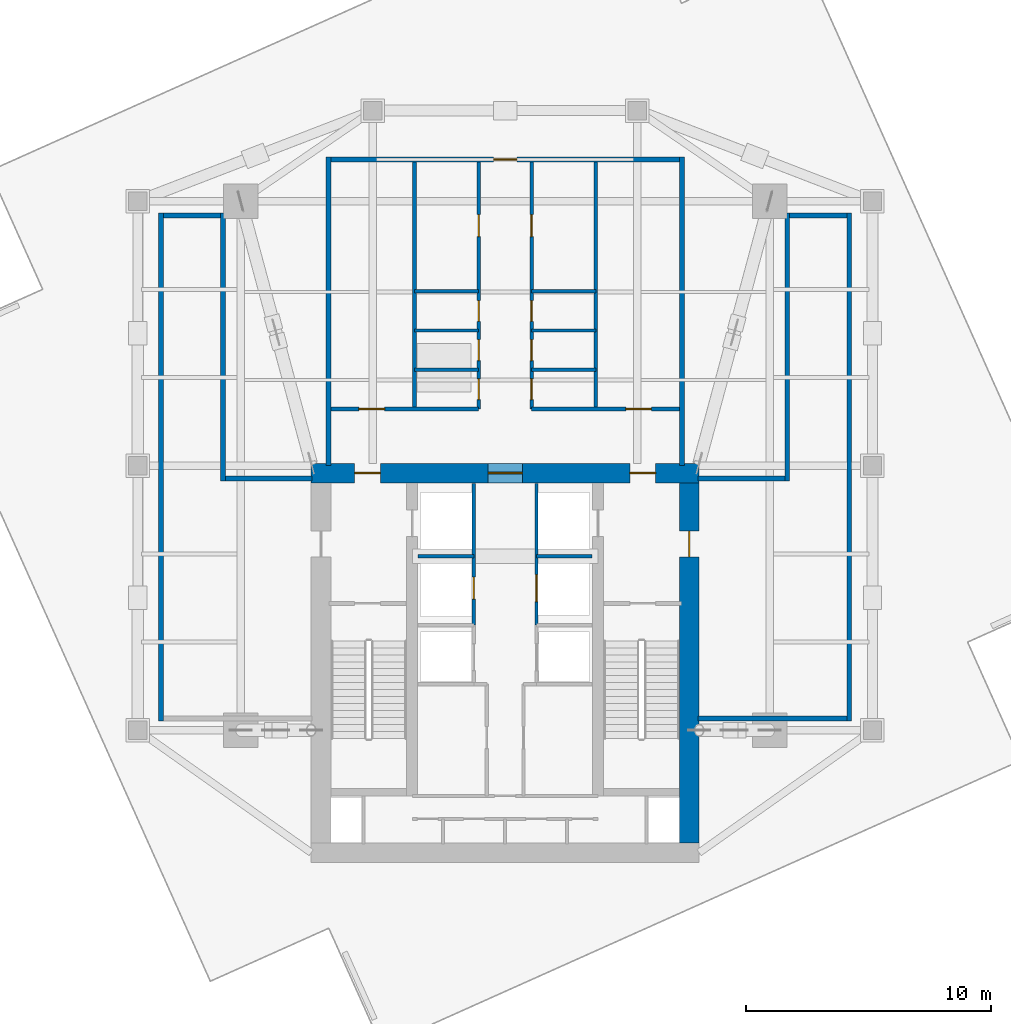
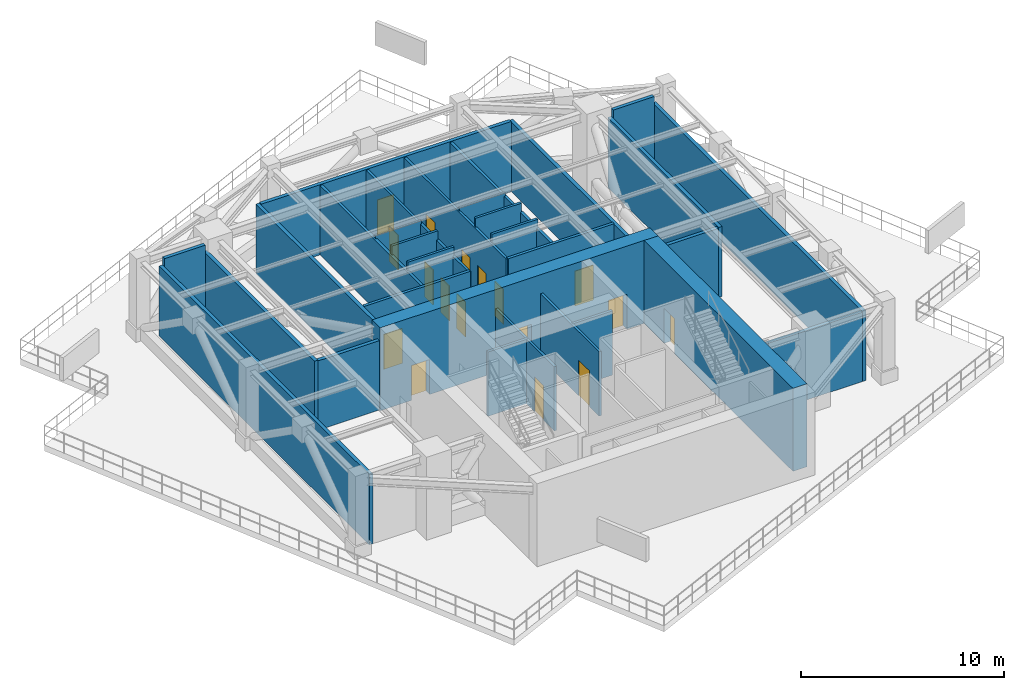
# One storey, part 4 of 8: 30 walls, 17 doors, 17 openings.
"""IFC4 building model written with IfcOpenShell, lengths in metres."""

from ifc_helpers import new_model, si_unit, direction, frame, frame_2d, origin, place, context, subcontext, project, spatial, rectangle, extrude, material, layer, layer_set, type_object, element, fill, save


model = new_model("IFC4")

# Units and contexts
model_context = context("Model", 3, precision=1e-05, world=origin(), true_north=direction((0.0, 1.0)))
body_context = subcontext(model_context, "Body", "Model", "MODEL_VIEW")
ifc_project = project(units=[si_unit("LENGTHUNIT", "METRE"), si_unit("AREAUNIT", "SQUARE_METRE"), si_unit("VOLUMEUNIT", "CUBIC_METRE"), si_unit("PLANEANGLEUNIT", "RADIAN"), si_unit("MASSUNIT", "GRAM", prefix="KILO")], contexts=[model_context])

# Site, building, storey
site_placement = place(None, origin())
site = spatial("IfcSite", under=ifc_project, at=site_placement, CompositionType="ELEMENT")
building_placement = place(site_placement, origin())
building = spatial("IfcBuilding", under=site, at=building_placement, Name="Krantzveldt Concourse Tower", CompositionType="ELEMENT")
storey_placement = place(building_placement, frame((0.0, 0.0, 318.75)))
storey = spatial("IfcBuildingStorey", under=building, at=storey_placement, Name="L78", CompositionType="ELEMENT", Elevation=318.75)

# Wall, opening, door
ifc_material_1 = material(Name="Concrete C40/50", Category="concrete")
ifc_layer_1 = layer(ifc_material_1, 0.199951171875, Name="Concrete C40/50", Category="concrete")
ifc_layer_set_1 = layer_set([ifc_layer_1], Name="Concrete C40/50 (WL-EXT-POD200)")
wall_type_1 = type_object("IfcWallType", Name="WL-EXT-POD200", PredefinedType="SOLIDWALL", material=ifc_layer_set_1)
wall_1_placement = place(storey_placement, frame((28.8798828125, 39.199951171875, 0.0), z_axis=(0.0, 0.0, 1.0), x_axis=(1.0, 0.0, 0.0)))
wall_1 = element("IfcWall", 1, at=wall_1_placement, inside=storey, type_object=wall_type_1, Name="WP-L78-PODN", PredefinedType="SOLIDWALL", context=body_context, shape_type="SweptSolid", body=[
    extrude(rectangle(XDim=14.240234375, YDim=0.199951171875, at=frame_2d((7.1201171875, 0.0))), origin(), (0.0, 0.0, 1.0), 4.22998046875),
])
opening_1_placement = place(wall_1_placement, frame((6.64501953125, 0.0, 0.0)))
opening_1 = element("IfcOpeningElement", 2, at=opening_1_placement, cuts=wall_1, Name="Opening D-EX95", PredefinedType="OPENING", context=body_context, shape_type="SweptSolid", body=[
    extrude(rectangle(XDim=0.949951171875, YDim=2.10009765625, at=frame_2d((0.47509765625, 1.050048828125))), frame((0.0, 0.10986328125, 0.0), z_axis=(0.0, -1.0, 0.0), x_axis=(1.0, 0.0, 0.0)), (0.0, 0.0, 1.0), 0.219970703125),
])
ifc_material_2 = material(Name="Anodised aluminium 6063-T6", Category="aluminium")
door_type_1 = type_object("IfcDoorType", Name="DR-EXT-950", OperationType="SINGLE_SWING_LEFT", PredefinedType="DOOR", material=ifc_material_2)
door_1_placement = place(opening_1_placement, origin())
door_1 = element("IfcDoor", 3, at=door_1_placement, inside=storey, type_object=door_type_1, Name="DR-L78-WDECK", OperationType="SINGLE_SWING_LEFT", OverallHeight=2.10009765625, OverallWidth=0.949951171875, PredefinedType="DOOR", context=body_context, shape_type="SweptSolid", body=[
    extrude(rectangle(XDim=0.949951171875, YDim=2.10009765625, at=frame_2d((0.47509765625, 1.050048828125))), frame((0.0, 0.02490234375, 0.0), z_axis=(0.0, -1.0, 0.0), x_axis=(1.0, 0.0, 0.0)), (0.0, 0.0, 1.0), 0.050048828125),
])
fill(opening_1, door_1)

# Walls
for number, where, z_axis, x_axis, name in (
    (4, (28.780029296875, 26.699951171875, 0.0), (0.0, 0.0, 1.0), (0.0, 1.0, 0.0), "WP-L78-PODW"),
    (5, (43.219970703125, 26.699951171875, 0.0), (0.0, 0.0, 1.0), (0.0, 1.0, 0.0), "WP-L78-PODE"),
):
    element("IfcWall", number, at=place(storey_placement, frame(where, z_axis=z_axis, x_axis=x_axis)), inside=storey, type_object=wall_type_1, Name=name, PredefinedType="SOLIDWALL", context=body_context, shape_type="SweptSolid", body=[
        extrude(rectangle(XDim=12.60009765625, YDim=0.199951171875, at=frame_2d((6.300048828125, 0.0))), origin(), (0.0, 0.0, 1.0), 4.179931640625),
    ])
wall_2_placement = place(storey_placement, frame((21.949951171875, 16.280029296875, 0.0), z_axis=(0.0, 0.0, 1.0), x_axis=(0.0, 1.0, 0.0)))
element("IfcWall", 6, at=wall_2_placement, inside=storey, type_object=wall_type_1, Name="WP-L78-RWW", PredefinedType="SOLIDWALL", context=body_context, shape_type="SweptSolid", body=[
    extrude(rectangle(XDim=20.739990234375, YDim=0.199951171875, at=frame_2d((10.3701171875, 0.0))), origin(), (0.0, 0.0, 1.0), 4.22998046875),
])
wall_3_placement = place(storey_placement, frame((22.050048828125, 36.919921875, 0.0), z_axis=(0.0, 0.0, 1.0), x_axis=(1.0, 0.0, 0.0)))
element("IfcWall", 7, at=wall_3_placement, inside=storey, type_object=wall_type_1, Name="WP-L78-RWN1", PredefinedType="SOLIDWALL", context=body_context, shape_type="SweptSolid", body=[
    extrude(rectangle(XDim=2.329833984375, YDim=0.199951171875, at=frame_2d((1.1650390625, 0.0))), origin(), (0.0, 0.0, 1.0), 4.719970703125),
])
wall_4_placement = place(storey_placement, frame((24.47998046875, 26.080078125, 0.0), z_axis=(0.0, 0.0, 1.0), x_axis=(0.0, 1.0, 0.0)))
element("IfcWall", 8, at=wall_4_placement, inside=storey, type_object=wall_type_1, Name="WP-L78-RWNE", PredefinedType="SOLIDWALL", context=body_context, shape_type="SweptSolid", body=[
    extrude(rectangle(XDim=10.93994140625, YDim=0.199951171875, at=frame_2d((5.469970703125, 0.0))), origin(), (0.0, 0.0, 1.0), 4.22998046875),
])
wall_5_placement = place(storey_placement, frame((24.580078125, 26.179931640625, 0.0), z_axis=(0.0, 0.0, 1.0), x_axis=(1.0, 0.0, 0.0)))
element("IfcWall", 9, at=wall_5_placement, inside=storey, type_object=wall_type_1, Name="WP-L78-RWN2", PredefinedType="SOLIDWALL", context=body_context, shape_type="SweptSolid", body=[
    extrude(rectangle(XDim=3.5400390625, YDim=0.199951171875, at=frame_2d((1.77001953125, 0.0))), origin(), (0.0, 0.0, 1.0), 4.179931640625),
])
wall_6_placement = place(storey_placement, frame((43.8798828125, 16.3798828125, 0.0), z_axis=(0.0, 0.0, 1.0), x_axis=(1.0, 0.0, 0.0)))
element("IfcWall", 10, at=wall_6_placement, inside=storey, type_object=wall_type_1, Name="WP-L78-RES", PredefinedType="SOLIDWALL", context=body_context, shape_type="SweptSolid", body=[
    extrude(rectangle(XDim=6.070068359375, YDim=0.199951171875, at=frame_2d((3.03515625, 0.0))), origin(), (0.0, 0.0, 1.0), 4.179931640625),
])
wall_7_placement = place(storey_placement, frame((50.050048828125, 16.280029296875, 0.0), z_axis=(0.0, 0.0, 1.0), x_axis=(0.0, 1.0, 0.0)))
element("IfcWall", 11, at=wall_7_placement, inside=storey, type_object=wall_type_1, Name="WP-L78-REE", PredefinedType="SOLIDWALL", context=body_context, shape_type="SweptSolid", body=[
    extrude(rectangle(XDim=20.739990234375, YDim=0.199951171875, at=frame_2d((10.3701171875, 0.0))), origin(), (0.0, 0.0, 1.0), 4.22998046875),
])
wall_8_placement = place(storey_placement, frame((47.6201171875, 36.919921875, 0.0), z_axis=(0.0, 0.0, 1.0), x_axis=(1.0, 0.0, 0.0)))
element("IfcWall", 12, at=wall_8_placement, inside=storey, type_object=wall_type_1, Name="WP-L78-REN1", PredefinedType="SOLIDWALL", context=body_context, shape_type="SweptSolid", body=[
    extrude(rectangle(XDim=2.329833984375, YDim=0.199951171875, at=frame_2d((1.1650390625, 0.0))), origin(), (0.0, 0.0, 1.0), 4.719970703125),
])
wall_9_placement = place(storey_placement, frame((47.52001953125, 26.080078125, 0.0), z_axis=(0.0, 0.0, 1.0), x_axis=(0.0, 1.0, 0.0)))
element("IfcWall", 13, at=wall_9_placement, inside=storey, type_object=wall_type_1, Name="WP-L78-RENW", PredefinedType="SOLIDWALL", context=body_context, shape_type="SweptSolid", body=[
    extrude(rectangle(XDim=10.93994140625, YDim=0.199951171875, at=frame_2d((5.469970703125, 0.0))), origin(), (0.0, 0.0, 1.0), 4.22998046875),
])
wall_10_placement = place(storey_placement, frame((43.8798828125, 26.179931640625, 0.0), z_axis=(0.0, 0.0, 1.0), x_axis=(1.0, 0.0, 0.0)))
element("IfcWall", 14, at=wall_10_placement, inside=storey, type_object=wall_type_1, Name="WP-L78-REN2", PredefinedType="SOLIDWALL", context=body_context, shape_type="SweptSolid", body=[
    extrude(rectangle(XDim=3.5400390625, YDim=0.199951171875, at=frame_2d((1.77001953125, 0.0))), origin(), (0.0, 0.0, 1.0), 4.179931640625),
])

# Wall, opening, door
ifc_material_3 = material(Name="Fire-rated gypsum plasterboard on steel stud", Category="steel")
ifc_layer_2 = layer(ifc_material_3, 0.139892578125, Name="Fire-rated gypsum plasterboard on steel stud", Category="steel")
ifc_layer_set_2 = layer_set([ifc_layer_2], Name="Fire-rated gypsum plasterboard on steel stud (WL-PART-FR140)")
wall_type_2 = type_object("IfcWallType", Name="WL-PART-FR140", PredefinedType="PARTITIONING", material=ifc_layer_set_2)
wall_11_placement = place(storey_placement, frame((34.719970703125, 20.199951171875, 0.0), z_axis=(0.0, 0.0, 1.0), x_axis=(0.0, 1.0, 0.0)))
wall_11 = element("IfcWall", 15, at=wall_11_placement, inside=storey, type_object=wall_type_2, Name="WP-L78-SHNW", PredefinedType="PARTITIONING", context=body_context, shape_type="SweptSolid", body=[
    extrude(rectangle(XDim=5.780029296875, YDim=0.139892578125, at=frame_2d((2.89013671875, 0.0))), origin(), (0.0, 0.0, 1.0), 3.8701171875),
])
opening_2_placement = place(wall_11_placement, frame((1.050048828125, 0.0, 0.0)))
opening_2 = element("IfcOpeningElement", 16, at=opening_2_placement, cuts=wall_11, Name="Opening D-FD090", PredefinedType="OPENING", context=body_context, shape_type="SweptSolid", body=[
    extrude(rectangle(XDim=0.89990234375, YDim=2.10009765625, at=frame_2d((0.449951171875, 1.050048828125))), frame((0.0, 0.080078125, 0.0), z_axis=(0.0, -1.0, 0.0), x_axis=(1.0, 0.0, 0.0)), (0.0, 0.0, 1.0), 0.159912109375),
])
ifc_material_4 = material(Name="Hardwood timber", Category="wood")
door_type_2 = type_object("IfcDoorType", Name="DR-FD60-900", OperationType="SINGLE_SWING_LEFT", PredefinedType="DOOR", material=ifc_material_4)
door_2_placement = place(opening_2_placement, origin())
door_2 = element("IfcDoor", 17, at=door_2_placement, inside=storey, type_object=door_type_2, Name="Electrical Riser Access Door L78", OperationType="SINGLE_SWING_LEFT", OverallHeight=2.10009765625, OverallWidth=0.89990234375, PredefinedType="DOOR", context=body_context, shape_type="SweptSolid", body=[
    extrude(rectangle(XDim=0.89990234375, YDim=2.10009765625, at=frame_2d((0.449951171875, 1.050048828125))), frame((0.0, 0.02490234375, 0.0), z_axis=(0.0, -1.0, 0.0), x_axis=(1.0, 0.0, 0.0)), (0.0, 0.0, 1.0), 0.050048828125),
])
fill(opening_2, door_2)

wall_12_placement = place(storey_placement, frame((37.280029296875, 20.199951171875, 0.0), z_axis=(0.0, 0.0, 1.0), x_axis=(0.0, 1.0, 0.0)))
wall_12 = element("IfcWall", 18, at=wall_12_placement, inside=storey, type_object=wall_type_2, Name="WP-L78-SHNE", PredefinedType="PARTITIONING", context=body_context, shape_type="SweptSolid", body=[
    extrude(rectangle(XDim=5.780029296875, YDim=0.139892578125, at=frame_2d((2.89013671875, 0.0))), origin(), (0.0, 0.0, 1.0), 3.8701171875),
])
opening_3_placement = place(wall_12_placement, frame((0.949951171875, 0.0, 0.0)))
opening_3 = element("IfcOpeningElement", 19, at=opening_3_placement, cuts=wall_12, Name="Opening LD", PredefinedType="OPENING", context=body_context, shape_type="SweptSolid", body=[
    extrude(rectangle(XDim=1.10009765625, YDim=2.14990234375, at=frame_2d((0.550048828125, 1.074951171875))), frame((0.0, 0.080078125, 0.0), z_axis=(0.0, -1.0, 0.0), x_axis=(1.0, 0.0, 0.0)), (0.0, 0.0, 1.0), 0.159912109375),
])
ifc_material_5 = material(Name="Stainless steel 316L", Category="steel")
door_type_3 = type_object("IfcDoorType", Name="DR-SLIDE-LD1100", OperationType="DOUBLE_DOOR_SLIDING", PredefinedType="DOOR", material=ifc_material_5)
door_3_placement = place(opening_3_placement, origin())
door_3 = element("IfcDoor", 20, at=door_3_placement, inside=storey, type_object=door_type_3, Name="LD-L78-GL1", OperationType="DOUBLE_DOOR_SLIDING", OverallHeight=2.14990234375, OverallWidth=1.10009765625, PredefinedType="DOOR", context=body_context, shape_type="SweptSolid", body=[
    extrude(rectangle(XDim=1.10009765625, YDim=2.14990234375, at=frame_2d((0.550048828125, 1.074951171875))), frame((0.0, 0.02490234375, 0.0), z_axis=(0.0, -1.0, 0.0), x_axis=(1.0, 0.0, 0.0)), (0.0, 0.0, 1.0), 0.050048828125),
])
fill(opening_3, door_3)

# Walls
for number, where, z_axis, x_axis, name in (
    (21, (32.449951171875, 23.0, 0.0), (0.0, 0.0, 1.0), (1.0, 0.0, 0.0), "WP-L78-RISH"),
    (22, (37.280029296875, 23.0, 0.0), (0.0, 0.0, 1.0), (1.0, 0.0, 0.0), "WP-L78-GLH"),
):
    element("IfcWall", number, at=place(storey_placement, frame(where, z_axis=z_axis, x_axis=x_axis)), inside=storey, type_object=wall_type_2, Name=name, PredefinedType="PARTITIONING", context=body_context, shape_type="SweptSolid", body=[
        extrude(rectangle(XDim=2.27001953125, YDim=0.139892578125, at=frame_2d((1.135009765625, 0.0))), origin(), (0.0, 0.0, 1.0), 3.8701171875),
    ])

# Wall, openings, doors
wall_13_placement = place(storey_placement, frame((34.919921875, 29.02001953125, 0.0), z_axis=(0.0, 0.0, 1.0), x_axis=(0.0, 1.0, 0.0)))
wall_13 = element("IfcWall", 23, at=wall_13_placement, inside=storey, type_object=wall_type_2, Name="WP-L78-SPL", PredefinedType="PARTITIONING", context=body_context, shape_type="SweptSolid", body=[
    extrude(rectangle(XDim=10.080078125, YDim=0.139892578125, at=frame_2d((5.0400390625, 0.0))), origin(), (0.0, 0.0, 1.0), 4.179931640625),
])
opening_4_placement = place(wall_13_placement, frame((7.030029296875, 0.0, 0.0)))
opening_4 = element("IfcOpeningElement", 24, at=opening_4_placement, cuts=wall_13, Name="Opening D-FD090", PredefinedType="OPENING", context=body_context, shape_type="SweptSolid", body=[
    extrude(rectangle(XDim=0.89990234375, YDim=2.10009765625, at=frame_2d((0.449951171875, 1.050048828125))), frame((0.0, 0.080078125, 0.0), z_axis=(0.0, -1.0, 0.0), x_axis=(1.0, 0.0, 0.0)), (0.0, 0.0, 1.0), 0.159912109375),
])
opening_5_placement = place(wall_13_placement, frame((0.375, 0.0, 0.0)))
opening_5 = element("IfcOpeningElement", 25, at=opening_5_placement, cuts=wall_13, Name="Opening D-IN085", PredefinedType="OPENING", context=body_context, shape_type="SweptSolid", body=[
    extrude(rectangle(XDim=0.85009765625, YDim=2.10009765625, at=frame_2d((0.425048828125, 1.050048828125))), frame((0.0, 0.080078125, 0.0), z_axis=(0.0, -1.0, 0.0), x_axis=(1.0, 0.0, 0.0)), (0.0, 0.0, 1.0), 0.159912109375),
])
opening_6_placement = place(wall_13_placement, frame((1.97509765625, 0.0, 0.0)))
opening_6 = element("IfcOpeningElement", 26, at=opening_6_placement, cuts=wall_13, Name="Opening D-IN085", PredefinedType="OPENING", context=body_context, shape_type="SweptSolid", body=[
    extrude(rectangle(XDim=0.85009765625, YDim=2.10009765625, at=frame_2d((0.425048828125, 1.050048828125))), frame((0.0, 0.080078125, 0.0), z_axis=(0.0, -1.0, 0.0), x_axis=(1.0, 0.0, 0.0)), (0.0, 0.0, 1.0), 0.159912109375),
])
opening_7_placement = place(wall_13_placement, frame((3.574951171875, 0.0, 0.0)))
opening_7 = element("IfcOpeningElement", 27, at=opening_7_placement, cuts=wall_13, Name="Opening D-IN085", PredefinedType="OPENING", context=body_context, shape_type="SweptSolid", body=[
    extrude(rectangle(XDim=0.85009765625, YDim=2.10009765625, at=frame_2d((0.425048828125, 1.050048828125))), frame((0.0, 0.080078125, 0.0), z_axis=(0.0, -1.0, 0.0), x_axis=(1.0, 0.0, 0.0)), (0.0, 0.0, 1.0), 0.159912109375),
])
door_4_placement = place(opening_4_placement, origin())
door_4 = element("IfcDoor", 28, at=door_4_placement, inside=storey, type_object=door_type_2, Name="DR-L78-REFCNL", OperationType="SINGLE_SWING_LEFT", OverallHeight=2.10009765625, OverallWidth=0.89990234375, PredefinedType="DOOR", context=body_context, shape_type="SweptSolid", body=[
    extrude(rectangle(XDim=0.89990234375, YDim=2.10009765625, at=frame_2d((0.449951171875, 1.050048828125))), frame((0.0, 0.02490234375, 0.0), z_axis=(0.0, -1.0, 0.0), x_axis=(1.0, 0.0, 0.0)), (0.0, 0.0, 1.0), 0.050048828125),
])
fill(opening_4, door_4)
door_type_4 = type_object("IfcDoorType", Name="DR-INT-850", OperationType="SINGLE_SWING_LEFT", PredefinedType="DOOR", material=ifc_material_4)
door_5_placement = place(opening_5_placement, origin())
door_5 = element("IfcDoor", 29, at=door_5_placement, inside=storey, type_object=door_type_4, Name="DR-L78-PAHU1", OperationType="SINGLE_SWING_LEFT", OverallHeight=2.10009765625, OverallWidth=0.85009765625, PredefinedType="DOOR", context=body_context, shape_type="SweptSolid", body=[
    extrude(rectangle(XDim=0.85009765625, YDim=2.10009765625, at=frame_2d((0.425048828125, 1.050048828125))), frame((0.0, 0.02490234375, 0.0), z_axis=(0.0, -1.0, 0.0), x_axis=(1.0, 0.0, 0.0)), (0.0, 0.0, 1.0), 0.050048828125),
])
fill(opening_5, door_5)
door_6_placement = place(opening_6_placement, origin())
door_6 = element("IfcDoor", 30, at=door_6_placement, inside=storey, type_object=door_type_4, Name="DR-L78-PAHU2", OperationType="SINGLE_SWING_RIGHT", OverallHeight=2.10009765625, OverallWidth=0.85009765625, PredefinedType="DOOR", context=body_context, shape_type="SweptSolid", body=[
    extrude(rectangle(XDim=0.85009765625, YDim=2.10009765625, at=frame_2d((0.425048828125, 1.050048828125))), frame((0.0, 0.02490234375, 0.0), z_axis=(0.0, -1.0, 0.0), x_axis=(1.0, 0.0, 0.0)), (0.0, 0.0, 1.0), 0.050048828125),
])
fill(opening_6, door_6)
door_7_placement = place(opening_7_placement, origin())
door_7 = element("IfcDoor", 31, at=door_7_placement, inside=storey, type_object=door_type_4, Name="DR-L78-PSWG", OperationType="SINGLE_SWING_LEFT", OverallHeight=2.10009765625, OverallWidth=0.85009765625, PredefinedType="DOOR", context=body_context, shape_type="SweptSolid", body=[
    extrude(rectangle(XDim=0.85009765625, YDim=2.10009765625, at=frame_2d((0.425048828125, 1.050048828125))), frame((0.0, 0.02490234375, 0.0), z_axis=(0.0, -1.0, 0.0), x_axis=(1.0, 0.0, 0.0)), (0.0, 0.0, 1.0), 0.050048828125),
])
fill(opening_7, door_7)

wall_14_placement = place(storey_placement, frame((37.080078125, 29.02001953125, 0.0), z_axis=(0.0, 0.0, 1.0), x_axis=(0.0, 1.0, 0.0)))
wall_14 = element("IfcWall", 32, at=wall_14_placement, inside=storey, type_object=wall_type_2, Name="WP-L78-SPR", PredefinedType="PARTITIONING", context=body_context, shape_type="SweptSolid", body=[
    extrude(rectangle(XDim=10.080078125, YDim=0.139892578125, at=frame_2d((5.0400390625, 0.0))), origin(), (0.0, 0.0, 1.0), 4.179931640625),
])
opening_8_placement = place(wall_14_placement, frame((7.030029296875, 0.0, 0.0)))
opening_8 = element("IfcOpeningElement", 33, at=opening_8_placement, cuts=wall_14, Name="Opening D-FD090", PredefinedType="OPENING", context=body_context, shape_type="SweptSolid", body=[
    extrude(rectangle(XDim=0.89990234375, YDim=2.10009765625, at=frame_2d((0.449951171875, 1.050048828125))), frame((0.0, 0.080078125, 0.0), z_axis=(0.0, -1.0, 0.0), x_axis=(1.0, 0.0, 0.0)), (0.0, 0.0, 1.0), 0.159912109375),
])
opening_9_placement = place(wall_14_placement, frame((0.375, 0.0, 0.0)))
opening_9 = element("IfcOpeningElement", 34, at=opening_9_placement, cuts=wall_14, Name="Opening D-IN085", PredefinedType="OPENING", context=body_context, shape_type="SweptSolid", body=[
    extrude(rectangle(XDim=0.85009765625, YDim=2.10009765625, at=frame_2d((0.425048828125, 1.050048828125))), frame((0.0, 0.080078125, 0.0), z_axis=(0.0, -1.0, 0.0), x_axis=(1.0, 0.0, 0.0)), (0.0, 0.0, 1.0), 0.159912109375),
])
opening_10_placement = place(wall_14_placement, frame((1.97509765625, 0.0, 0.0)))
opening_10 = element("IfcOpeningElement", 35, at=opening_10_placement, cuts=wall_14, Name="Opening D-IN085", PredefinedType="OPENING", context=body_context, shape_type="SweptSolid", body=[
    extrude(rectangle(XDim=0.85009765625, YDim=2.10009765625, at=frame_2d((0.425048828125, 1.050048828125))), frame((0.0, 0.080078125, 0.0), z_axis=(0.0, -1.0, 0.0), x_axis=(1.0, 0.0, 0.0)), (0.0, 0.0, 1.0), 0.159912109375),
])
opening_11_placement = place(wall_14_placement, frame((3.574951171875, 0.0, 0.0)))
opening_11 = element("IfcOpeningElement", 36, at=opening_11_placement, cuts=wall_14, Name="Opening D-IN085", PredefinedType="OPENING", context=body_context, shape_type="SweptSolid", body=[
    extrude(rectangle(XDim=0.85009765625, YDim=2.10009765625, at=frame_2d((0.425048828125, 1.050048828125))), frame((0.0, 0.080078125, 0.0), z_axis=(0.0, -1.0, 0.0), x_axis=(1.0, 0.0, 0.0)), (0.0, 0.0, 1.0), 0.159912109375),
])
door_8_placement = place(opening_8_placement, origin())
door_8 = element("IfcDoor", 37, at=door_8_placement, inside=storey, type_object=door_type_2, Name="DR-L78-REFCNR", OperationType="SINGLE_SWING_RIGHT", OverallHeight=2.10009765625, OverallWidth=0.89990234375, PredefinedType="DOOR", context=body_context, shape_type="SweptSolid", body=[
    extrude(rectangle(XDim=0.89990234375, YDim=2.10009765625, at=frame_2d((0.449951171875, 1.050048828125))), frame((0.0, 0.02490234375, 0.0), z_axis=(0.0, -1.0, 0.0), x_axis=(1.0, 0.0, 0.0)), (0.0, 0.0, 1.0), 0.050048828125),
])
fill(opening_8, door_8)
door_9_placement = place(opening_9_placement, origin())
door_9 = element("IfcDoor", 38, at=door_9_placement, inside=storey, type_object=door_type_4, Name="DR-L78-PHEX", OperationType="SINGLE_SWING_RIGHT", OverallHeight=2.10009765625, OverallWidth=0.85009765625, PredefinedType="DOOR", context=body_context, shape_type="SweptSolid", body=[
    extrude(rectangle(XDim=0.85009765625, YDim=2.10009765625, at=frame_2d((0.425048828125, 1.050048828125))), frame((0.0, 0.02490234375, 0.0), z_axis=(0.0, -1.0, 0.0), x_axis=(1.0, 0.0, 0.0)), (0.0, 0.0, 1.0), 0.050048828125),
])
fill(opening_9, door_9)
door_10_placement = place(opening_10_placement, origin())
door_10 = element("IfcDoor", 39, at=door_10_placement, inside=storey, type_object=door_type_4, Name="DR-L78-PPMP", OperationType="SINGLE_SWING_LEFT", OverallHeight=2.10009765625, OverallWidth=0.85009765625, PredefinedType="DOOR", context=body_context, shape_type="SweptSolid", body=[
    extrude(rectangle(XDim=0.85009765625, YDim=2.10009765625, at=frame_2d((0.425048828125, 1.050048828125))), frame((0.0, 0.02490234375, 0.0), z_axis=(0.0, -1.0, 0.0), x_axis=(1.0, 0.0, 0.0)), (0.0, 0.0, 1.0), 0.050048828125),
])
fill(opening_10, door_10)
door_11_placement = place(opening_11_placement, origin())
door_11 = element("IfcDoor", 40, at=door_11_placement, inside=storey, type_object=door_type_4, Name="DR-L78-PTNK", OperationType="SINGLE_SWING_RIGHT", OverallHeight=2.10009765625, OverallWidth=0.85009765625, PredefinedType="DOOR", context=body_context, shape_type="SweptSolid", body=[
    extrude(rectangle(XDim=0.85009765625, YDim=2.10009765625, at=frame_2d((0.425048828125, 1.050048828125))), frame((0.0, 0.02490234375, 0.0), z_axis=(0.0, -1.0, 0.0), x_axis=(1.0, 0.0, 0.0)), (0.0, 0.0, 1.0), 0.050048828125),
])
fill(opening_11, door_11)

# Walls
for number, where, z_axis, x_axis, name in (
    (41, (32.300048828125, 33.820068359375, 0.0), (0.0, 0.0, 1.0), (1.0, 0.0, 0.0), "WP-L78-SPNL"),
    (42, (37.080078125, 33.820068359375, 0.0), (0.0, 0.0, 1.0), (1.0, 0.0, 0.0), "WP-L78-SPNR"),
):
    element("IfcWall", number, at=place(storey_placement, frame(where, z_axis=z_axis, x_axis=x_axis)), inside=storey, type_object=wall_type_2, Name=name, PredefinedType="PARTITIONING", context=body_context, shape_type="SweptSolid", body=[
        extrude(rectangle(XDim=2.619873046875, YDim=0.139892578125, at=frame_2d((1.31005859375, 0.0))), origin(), (0.0, 0.0, 1.0), 4.360107421875),
    ])
for number, where, z_axis, x_axis, name in (
    (43, (32.300048828125, 30.6201171875, 0.0), (0.0, 0.0, 1.0), (1.0, 0.0, 0.0), "WP-L78-DWL1"),
    (44, (32.300048828125, 32.219970703125, 0.0), (0.0, 0.0, 1.0), (1.0, 0.0, 0.0), "WP-L78-DWL2"),
    (45, (37.080078125, 30.6201171875, 0.0), (0.0, 0.0, 1.0), (1.0, 0.0, 0.0), "WP-L78-DWR1"),
    (46, (37.080078125, 32.219970703125, 0.0), (0.0, 0.0, 1.0), (1.0, 0.0, 0.0), "WP-L78-DWR2"),
):
    element("IfcWall", number, at=place(storey_placement, frame(where, z_axis=z_axis, x_axis=x_axis)), inside=storey, type_object=wall_type_2, Name=name, PredefinedType="PARTITIONING", context=body_context, shape_type="SweptSolid", body=[
        extrude(rectangle(XDim=2.619873046875, YDim=0.139892578125, at=frame_2d((1.31005859375, 0.0))), origin(), (0.0, 0.0, 1.0), 4.719970703125),
    ])

# Wall, opening, door
ifc_layer_3 = layer(ifc_material_3, 0.159912109375, Name="Fire-rated gypsum plasterboard on steel stud", Category="steel")
ifc_layer_set_3 = layer_set([ifc_layer_3], Name="Fire-rated gypsum plasterboard on steel stud (WL-PART-FR160)")
wall_type_3 = type_object("IfcWallType", Name="WL-PART-FR160", PredefinedType="PARTITIONING", material=ifc_layer_set_3)
wall_15_placement = place(storey_placement, frame((28.8798828125, 29.02001953125, 0.0), z_axis=(0.0, 0.0, 1.0), x_axis=(1.0, 0.0, 0.0)))
wall_15 = element("IfcWall", 47, at=wall_15_placement, inside=storey, type_object=wall_type_3, Name="WP-L78-CHDRL", PredefinedType="PARTITIONING", context=body_context, shape_type="SweptSolid", body=[
    extrude(rectangle(XDim=6.0400390625, YDim=0.159912109375, at=frame_2d((3.02001953125, 0.0))), origin(), (0.0, 0.0, 1.0), 4.22998046875),
])
opening_12_placement = place(wall_15_placement, frame((1.14501953125, 0.0, 0.0)))
opening_12 = element("IfcOpeningElement", 48, at=opening_12_placement, cuts=wall_15, Name="Opening D-FD105", PredefinedType="OPENING", context=body_context, shape_type="SweptSolid", body=[
    extrude(rectangle(XDim=1.050048828125, YDim=2.10009765625, at=frame_2d((0.52490234375, 1.050048828125))), frame((0.0, 0.08984375, 0.0), z_axis=(0.0, -1.0, 0.0), x_axis=(1.0, 0.0, 0.0)), (0.0, 0.0, 1.0), 0.179931640625),
])
ifc_material_6 = material(Name="Galvanised steel", Category="steel")
door_type_5 = type_object("IfcDoorType", Name="DR-FD120-1050", OperationType="SINGLE_SWING_LEFT", PredefinedType="DOOR", material=ifc_material_6)
door_12_placement = place(opening_12_placement, origin())
door_12 = element("IfcDoor", 49, at=door_12_placement, inside=storey, type_object=door_type_5, Name="DR-L78-REFW2", OperationType="SINGLE_SWING_LEFT", OverallHeight=2.10009765625, OverallWidth=1.050048828125, PredefinedType="DOOR", context=body_context, shape_type="SweptSolid", body=[
    extrude(rectangle(XDim=1.050048828125, YDim=2.10009765625, at=frame_2d((0.52490234375, 1.050048828125))), frame((0.0, 0.02490234375, 0.0), z_axis=(0.0, -1.0, 0.0), x_axis=(1.0, 0.0, 0.0)), (0.0, 0.0, 1.0), 0.050048828125),
])
fill(opening_12, door_12)

wall_16_placement = place(storey_placement, frame((37.080078125, 29.02001953125, 0.0), z_axis=(0.0, 0.0, 1.0), x_axis=(1.0, 0.0, 0.0)))
wall_16 = element("IfcWall", 50, at=wall_16_placement, inside=storey, type_object=wall_type_3, Name="WP-L78-CHDRR", PredefinedType="PARTITIONING", context=body_context, shape_type="SweptSolid", body=[
    extrude(rectangle(XDim=6.0400390625, YDim=0.159912109375, at=frame_2d((3.02001953125, 0.0))), origin(), (0.0, 0.0, 1.0), 4.22998046875),
])
opening_13_placement = place(wall_16_placement, frame((3.844970703125, 0.0, 0.0)))
opening_13 = element("IfcOpeningElement", 51, at=opening_13_placement, cuts=wall_16, Name="Opening D-FD105", PredefinedType="OPENING", context=body_context, shape_type="SweptSolid", body=[
    extrude(rectangle(XDim=1.050048828125, YDim=2.10009765625, at=frame_2d((0.52490234375, 1.050048828125))), frame((0.0, 0.08984375, 0.0), z_axis=(0.0, -1.0, 0.0), x_axis=(1.0, 0.0, 0.0)), (0.0, 0.0, 1.0), 0.179931640625),
])
door_13_placement = place(opening_13_placement, origin())
door_13 = element("IfcDoor", 52, at=door_13_placement, inside=storey, type_object=door_type_5, Name="DR-L78-REFE2", OperationType="SINGLE_SWING_RIGHT", OverallHeight=2.10009765625, OverallWidth=1.050048828125, PredefinedType="DOOR", context=body_context, shape_type="SweptSolid", body=[
    extrude(rectangle(XDim=1.050048828125, YDim=2.10009765625, at=frame_2d((0.52490234375, 1.050048828125))), frame((0.0, 0.02490234375, 0.0), z_axis=(0.0, -1.0, 0.0), x_axis=(1.0, 0.0, 0.0)), (0.0, 0.0, 1.0), 0.050048828125),
])
fill(opening_13, door_13)

# Walls
for number, where, z_axis, x_axis, name in (
    (53, (32.300048828125, 29.02001953125, 0.0), (0.0, 0.0, 1.0), (0.0, 1.0, 0.0), "WP-L78-RW"),
    (54, (39.699951171875, 29.02001953125, 0.0), (0.0, 0.0, 1.0), (0.0, 1.0, 0.0), "WP-L78-RE"),
):
    element("IfcWall", number, at=place(storey_placement, frame(where, z_axis=z_axis, x_axis=x_axis)), inside=storey, type_object=wall_type_3, Name=name, PredefinedType="PARTITIONING", context=body_context, shape_type="SweptSolid", body=[
        extrude(rectangle(XDim=10.080078125, YDim=0.159912109375, at=frame_2d((5.0400390625, 0.0))), origin(), (0.0, 0.0, 1.0), 4.179931640625),
    ])

# Wall, openings, doors
ifc_material_7 = material(Name="Concrete C60/75", Category="concrete")
ifc_layer_4 = layer(ifc_material_7, 0.800048828125, Name="Concrete C60/75", Category="concrete")
ifc_layer_set_4 = layer_set([ifc_layer_4], Name="Concrete C60/75 (WL-SHEAR-800)")
wall_type_4 = type_object("IfcWallType", Name="WL-SHEAR-800", PredefinedType="SHEAR", material=ifc_layer_set_4)
wall_17_placement = place(storey_placement, frame((28.080078125, 26.39990234375, 0.0), z_axis=(0.0, 0.0, 1.0), x_axis=(1.0, 0.0, 0.0)))
wall_17 = element("IfcWall", 55, at=wall_17_placement, inside=storey, type_object=wall_type_4, Name="CW-L78-N", PredefinedType="SHEAR", context=body_context, shape_type="SweptSolid", body=[
    extrude(rectangle(XDim=15.83984375, YDim=0.800048828125, at=frame_2d((7.919921875, 0.0))), origin(), (0.0, 0.0, 1.0), 5.0),
])
opening_14_placement = place(wall_17_placement, frame((7.219970703125, 0.0, 0.0)))
opening_14 = element("IfcOpeningElement", 56, at=opening_14_placement, cuts=wall_17, Name="Opening D-DB140", PredefinedType="OPENING", context=body_context, shape_type="SweptSolid", body=[
    extrude(rectangle(XDim=1.39990234375, YDim=2.199951171875, at=frame_2d((0.699951171875, 1.10009765625))), frame((0.0, 0.41015625, 0.0), z_axis=(0.0, -1.0, 0.0), x_axis=(1.0, 0.0, 0.0)), (0.0, 0.0, 1.0), 0.820068359375),
])
opening_15_placement = place(wall_17_placement, frame((1.77490234375, 0.0, 0.0)))
opening_15 = element("IfcOpeningElement", 57, at=opening_15_placement, cuts=wall_17, Name="Opening D-FD105", PredefinedType="OPENING", context=body_context, shape_type="SweptSolid", body=[
    extrude(rectangle(XDim=1.050048828125, YDim=2.10009765625, at=frame_2d((0.52490234375, 1.050048828125))), frame((0.0, 0.41015625, 0.0), z_axis=(0.0, -1.0, 0.0), x_axis=(1.0, 0.0, 0.0)), (0.0, 0.0, 1.0), 0.820068359375),
])
opening_16_placement = place(wall_17_placement, frame((13.014892578125, 0.0, 0.0)))
opening_16 = element("IfcOpeningElement", 58, at=opening_16_placement, cuts=wall_17, Name="Opening D-FD105", PredefinedType="OPENING", context=body_context, shape_type="SweptSolid", body=[
    extrude(rectangle(XDim=1.050048828125, YDim=2.10009765625, at=frame_2d((0.52490234375, 1.050048828125))), frame((0.0, 0.41015625, 0.0), z_axis=(0.0, -1.0, 0.0), x_axis=(1.0, 0.0, 0.0)), (0.0, 0.0, 1.0), 0.820068359375),
])
door_type_6 = type_object("IfcDoorType", Name="DR-DBL-1400", OperationType="DOUBLE_DOOR_SINGLE_SWING", PredefinedType="DOOR", material=ifc_material_2)
door_14_placement = place(opening_14_placement, origin())
door_14 = element("IfcDoor", 59, at=door_14_placement, inside=storey, type_object=door_type_6, Name="DR-L78-LLB", OperationType="DOUBLE_DOOR_SINGLE_SWING", OverallHeight=2.199951171875, OverallWidth=1.39990234375, PredefinedType="DOOR", context=body_context, shape_type="SweptSolid", body=[
    extrude(rectangle(XDim=1.39990234375, YDim=2.199951171875, at=frame_2d((0.699951171875, 1.10009765625))), frame((0.0, 0.02490234375, 0.0), z_axis=(0.0, -1.0, 0.0), x_axis=(1.0, 0.0, 0.0)), (0.0, 0.0, 1.0), 0.050048828125),
])
fill(opening_14, door_14)
door_15_placement = place(opening_15_placement, origin())
door_15 = element("IfcDoor", 60, at=door_15_placement, inside=storey, type_object=door_type_5, Name="DR-L78-FFL1", OperationType="SINGLE_SWING_LEFT", OverallHeight=2.10009765625, OverallWidth=1.050048828125, PredefinedType="DOOR", context=body_context, shape_type="SweptSolid", body=[
    extrude(rectangle(XDim=1.050048828125, YDim=2.10009765625, at=frame_2d((0.52490234375, 1.050048828125))), frame((0.0, 0.02490234375, 0.0), z_axis=(0.0, -1.0, 0.0), x_axis=(1.0, 0.0, 0.0)), (0.0, 0.0, 1.0), 0.050048828125),
])
fill(opening_15, door_15)
door_16_placement = place(opening_16_placement, origin())
door_16 = element("IfcDoor", 61, at=door_16_placement, inside=storey, type_object=door_type_5, Name="DR-L78-FFL2", OperationType="SINGLE_SWING_RIGHT", OverallHeight=2.10009765625, OverallWidth=1.050048828125, PredefinedType="DOOR", context=body_context, shape_type="SweptSolid", body=[
    extrude(rectangle(XDim=1.050048828125, YDim=2.10009765625, at=frame_2d((0.52490234375, 1.050048828125))), frame((0.0, 0.02490234375, 0.0), z_axis=(0.0, -1.0, 0.0), x_axis=(1.0, 0.0, 0.0)), (0.0, 0.0, 1.0), 0.050048828125),
])
fill(opening_16, door_16)

# Wall, opening, door
wall_18_placement = place(storey_placement, frame((43.52001953125, 11.300048828125, 0.0), z_axis=(0.0, 0.0, 1.0), x_axis=(0.0, 1.0, 0.0)))
wall_18 = element("IfcWall", 62, at=wall_18_placement, inside=storey, type_object=wall_type_4, Name="CW-L78-E", PredefinedType="SHEAR", context=body_context, shape_type="SweptSolid", body=[
    extrude(rectangle(XDim=14.699951171875, YDim=0.800048828125, at=frame_2d((7.35009765625, 0.0))), origin(), (0.0, 0.0, 1.0), 5.0),
])
opening_17_placement = place(wall_18_placement, frame((11.675048828125, 0.0, 0.0)))
opening_17 = element("IfcOpeningElement", 63, at=opening_17_placement, cuts=wall_18, Name="Opening D-FD105", PredefinedType="OPENING", context=body_context, shape_type="SweptSolid", body=[
    extrude(rectangle(XDim=1.050048828125, YDim=2.10009765625, at=frame_2d((0.52490234375, 1.050048828125))), frame((0.0, 0.41015625, 0.0), z_axis=(0.0, -1.0, 0.0), x_axis=(1.0, 0.0, 0.0)), (0.0, 0.0, 1.0), 0.820068359375),
])
door_17_placement = place(opening_17_placement, origin())
door_17 = element("IfcDoor", 64, at=door_17_placement, inside=storey, type_object=door_type_5, Name="DR-L78-ST2RE", OperationType="SINGLE_SWING_RIGHT", OverallHeight=2.10009765625, OverallWidth=1.050048828125, PredefinedType="DOOR", context=body_context, shape_type="SweptSolid", body=[
    extrude(rectangle(XDim=1.050048828125, YDim=2.10009765625, at=frame_2d((0.52490234375, 1.050048828125))), frame((0.0, 0.02490234375, 0.0), z_axis=(0.0, -1.0, 0.0), x_axis=(1.0, 0.0, 0.0)), (0.0, 0.0, 1.0), 0.050048828125),
])
fill(opening_17, door_17)

save(model, "model.ifc")
